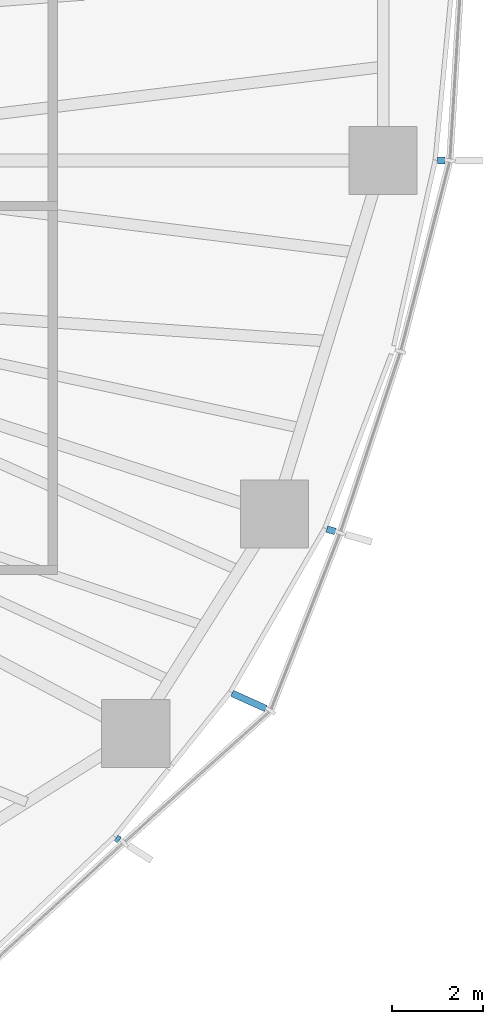
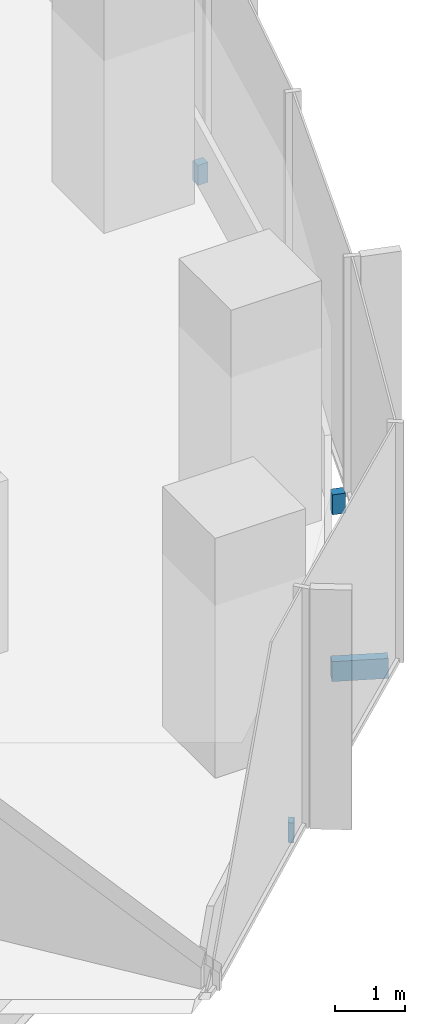
# One storey, part 14 of 18: 4 discrete accessories.
"""IFC4 building model written with IfcOpenShell, lengths in metres."""

from ifc_helpers import new_model, si_unit, direction, frame, origin, origin_2d, place, context, subcontext, project, spatial, rectangle, extrude, material, type_object, element, save


model = new_model("IFC4")

# Units and contexts
model_context = context("Model", 3, precision=1e-05, world=origin(), true_north=direction((0.0, 1.0)))
body_context = subcontext(model_context, "Body", "Model", "MODEL_VIEW")
ifc_project = project(units=[si_unit("LENGTHUNIT", "METRE"), si_unit("AREAUNIT", "SQUARE_METRE"), si_unit("VOLUMEUNIT", "CUBIC_METRE"), si_unit("PLANEANGLEUNIT", "RADIAN"), si_unit("MASSUNIT", "GRAM", prefix="KILO")], contexts=[model_context])

# Site, building, storey
site_placement = place(None, origin())
site = spatial("IfcSite", under=ifc_project, at=site_placement, CompositionType="ELEMENT")
building_placement = place(site_placement, origin())
building = spatial("IfcBuilding", under=site, at=building_placement, Name="Ghaith Harvest Tower", CompositionType="ELEMENT")
storey_placement = place(building_placement, frame((0.0, 0.0, 142.800048828125)))
storey = spatial("IfcBuildingStorey", under=building, at=storey_placement, Name="L30", CompositionType="ELEMENT", Elevation=142.800048828125)

# Discrete accessories
ifc_material_1 = material(Name="Stainless steel grade 1.4401", Category="steel")
discrete_accessory_type_1 = type_object("IfcDiscreteAccessoryType", Name="CURTAIN WALL BRACKET 165", PredefinedType="BRACKET", material=ifc_material_1)
discrete_accessory_1_placement = place(storey_placement, frame((30.5361328125, 0.0, -0.25), z_axis=(0.0, 0.0, 1.0), x_axis=(1.0, 0.0, 0.0)))
element("IfcDiscreteAccessory", 1, at=discrete_accessory_1_placement, inside=storey, type_object=discrete_accessory_type_1, Name="CW-L bracket 1 bay 01 L30", PredefinedType="BRACKET", context=body_context, shape_type="SweptSolid", body=[
    extrude(rectangle(XDim=0.1650390625, YDim=0.14990234375, at=origin_2d()), origin(), (0.0, 0.0, 1.0), 0.35009765625),
])
ifc_material_2 = material(Name="Stainless steel grade 1.4401", Category="steel")
discrete_accessory_type_2 = type_object("IfcDiscreteAccessoryType", Name="CURTAIN WALL BRACKET 195", PredefinedType="BRACKET", material=ifc_material_2)
discrete_accessory_2_placement = place(storey_placement, frame((28.1201171875, -8.127197265625, -0.25), z_axis=(0.0, 0.0, 1.0), x_axis=(0.960680349932, -0.277656739976, 0.0)))
element("IfcDiscreteAccessory", 2, at=discrete_accessory_2_placement, inside=storey, type_object=discrete_accessory_type_2, Name="CW-L bracket 1 bay 20 L30", PredefinedType="BRACKET", context=body_context, shape_type="SweptSolid", body=[
    extrude(rectangle(XDim=0.195068359375, YDim=0.14990234375, at=origin_2d()), origin(), (0.0, 0.0, 1.0), 0.35009765625),
])
ifc_material_3 = material(Name="Stainless steel grade 1.4401", Category="steel")
discrete_accessory_type_3 = type_object("IfcDiscreteAccessoryType", Name="CURTAIN WALL BRACKET 815", PredefinedType="BRACKET", material=ifc_material_3)
discrete_accessory_3_placement = place(storey_placement, frame((26.314697265625, -11.879638671875, -0.25), z_axis=(0.0, 0.0, 1.0), x_axis=(0.911426750831, -0.41146236507, 0.0)))
element("IfcDiscreteAccessory", 3, at=discrete_accessory_3_placement, inside=storey, type_object=discrete_accessory_type_3, Name="CW-L bracket 2 bay 19 L30", PredefinedType="BRACKET", context=body_context, shape_type="SweptSolid", body=[
    extrude(rectangle(XDim=0.81494140625, YDim=0.14990234375, at=origin_2d()), origin(), (0.0, 0.0, 1.0), 0.35009765625),
])
ifc_material_4 = material(Name="Stainless steel grade 1.4401", Category="steel")
discrete_accessory_type_4 = type_object("IfcDiscreteAccessoryType", Name="CURTAIN WALL BRACKET 85", PredefinedType="BRACKET", material=ifc_material_4)
discrete_accessory_4_placement = place(storey_placement, frame((23.431884765625, -14.912353515625, -0.25), z_axis=(0.0, 0.0, 1.0), x_axis=(0.84364397137, -0.536903016913, 0.0)))
element("IfcDiscreteAccessory", 4, at=discrete_accessory_4_placement, inside=storey, type_object=discrete_accessory_type_4, Name="CW-L bracket 1 bay 19 L30", PredefinedType="BRACKET", context=body_context, shape_type="SweptSolid", body=[
    extrude(rectangle(XDim=0.0849609375, YDim=0.14990234375, at=origin_2d()), origin(), (0.0, 0.0, 1.0), 0.35009765625),
])

save(model, "model.ifc")
